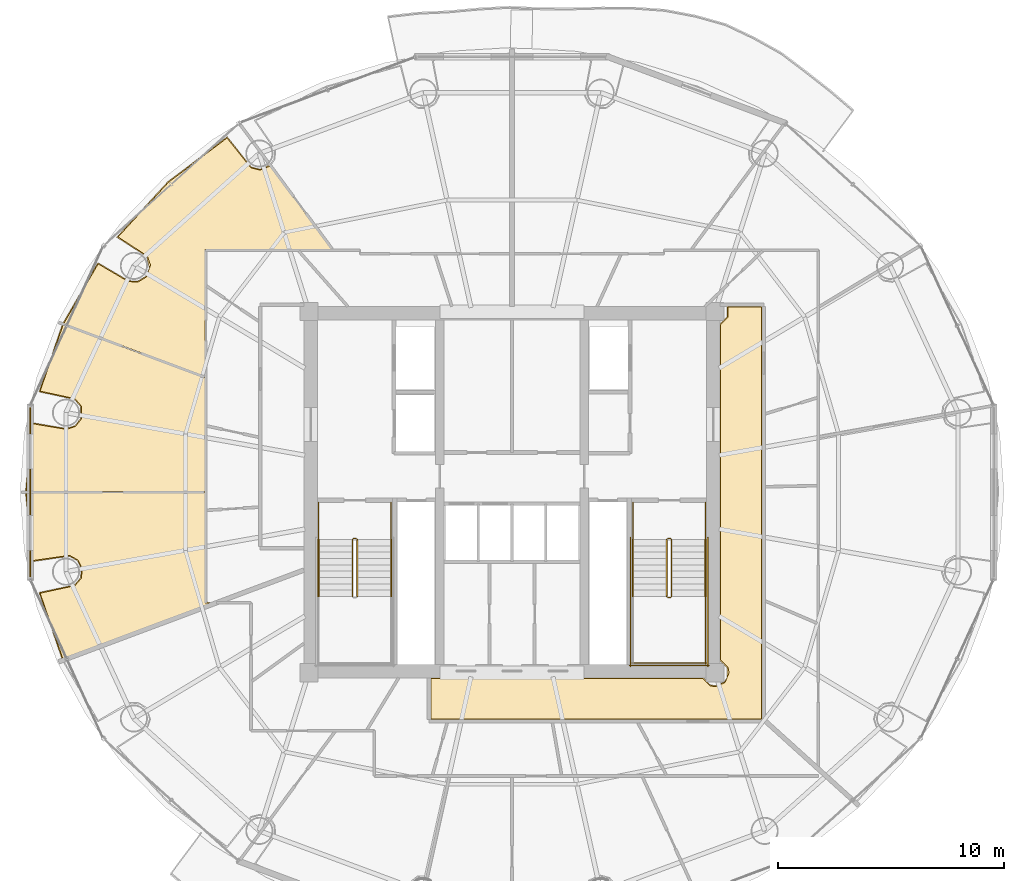
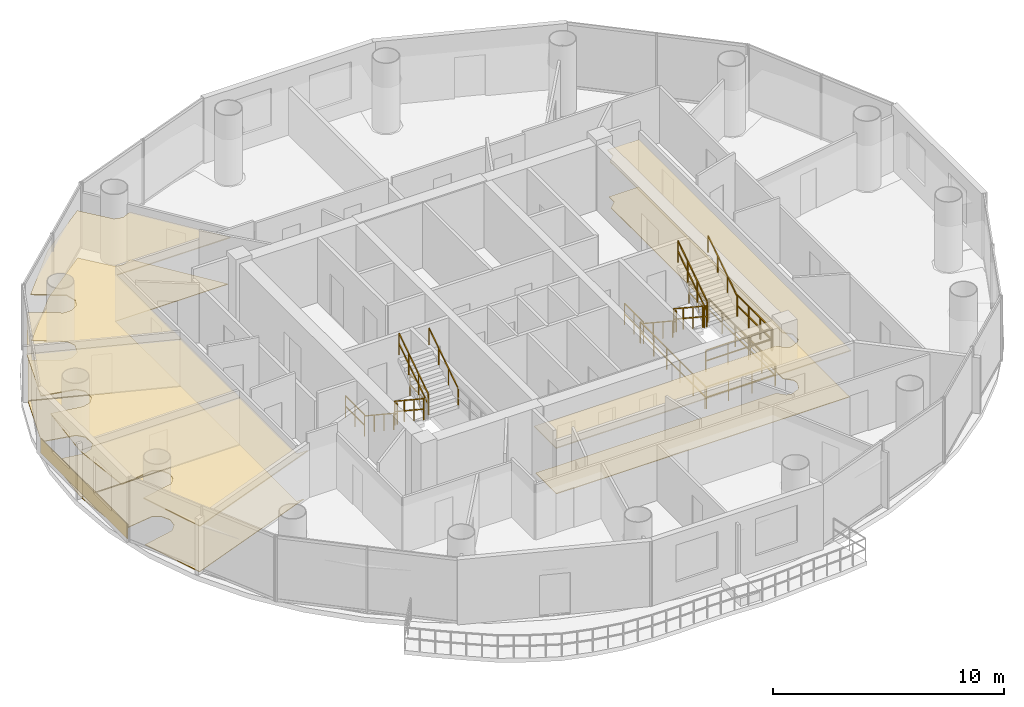
# One storey, part 25 of 26: 20 railings, 9 coverings.
"""IFC4 building model written with IfcOpenShell, lengths in metres."""

from ifc_helpers import new_model, si_unit, direction, frame, origin, origin_2d, place, context, subcontext, project, spatial, polyline, rectangle, outline, extrude, source, transform, mapped, material, layer, layer_set, type_object, element, save


model = new_model("IFC4")

# Units and contexts
model_context = context("Model", 3, precision=1e-05, world=origin(), true_north=direction((-0.2419218956, 0.970295726276)))
body_context = subcontext(model_context, "Body", "Model", "MODEL_VIEW")
ifc_project = project(units=[si_unit("LENGTHUNIT", "METRE"), si_unit("AREAUNIT", "SQUARE_METRE"), si_unit("VOLUMEUNIT", "CUBIC_METRE"), si_unit("PLANEANGLEUNIT", "RADIAN"), si_unit("MASSUNIT", "GRAM", prefix="KILO")], contexts=[model_context])

# Site, building, storey
site_placement = place(None, origin())
site = spatial("IfcSite", under=ifc_project, at=site_placement, CompositionType="ELEMENT")
building_placement = place(site_placement, origin())
building = spatial("IfcBuilding", under=site, at=building_placement, Name="Cobrevalo Terracotta Tower", CompositionType="ELEMENT")
storey_placement = place(building_placement, frame((0.0, 0.0, 209.699951171875)))
storey = spatial("IfcBuildingStorey", under=building, at=storey_placement, Name="L55", CompositionType="ELEMENT", Elevation=209.699951171875)

# Coverings
ifc_material_1 = material(Name="Engineered Brazilian hardwood flooring", Category="wood")
ifc_layer_1 = layer(ifc_material_1, 0.028076171875)
ifc_layer_set_1 = layer_set([ifc_layer_1], Name="Engineered Brazilian hardwood flooring")
covering_type_1 = type_object("IfcCoveringType", Name="Engineered Hardwood Suite Flooring 28", PredefinedType="FLOORING", material=ifc_layer_set_1)
covering_1_placement = place(storey_placement, origin())
element("IfcCovering", 1, at=covering_1_placement, inside=storey, type_object=covering_type_1, Name="Flat L55A Master Bedroom floor finish", PredefinedType="FLOORING", context=body_context, shape_type="SweptSolid", body=[
    extrude(outline(polyline([(19.662109375, 36.91357421875), (20.9970703125, 36.131103515625), (21.42626953125, 36.1103515625), (21.794677734375, 36.331298828125), (21.985107421875, 36.86474609375), (21.840087890625, 37.269287109375), (20.546875, 38.10888671875), (22.782470703125, 40.53125), (25.3720703125, 42.49169921875), (26.426513671875, 41.172119140625), (26.843505859375, 41.06884765625), (27.2890625, 41.25244140625), (30.0302734375, 37.544921875), (24.405029296875, 37.544921875), (24.405029296875, 31.91015625), (18.132568359375, 34.258056640625), (19.662109375, 36.91357421875)])), origin(), (0.0, 0.0, 1.0), 0.030029296875),
])
covering_2_placement = place(storey_placement, origin())
element("IfcCovering", 2, at=covering_2_placement, inside=storey, type_object=covering_type_1, Name="Flat L55A Principal Guest Bedroom floor finish", PredefinedType="FLOORING", context=body_context, shape_type="SweptSolid", body=[
    extrude(outline(polyline([(16.7734375, 29.83056640625), (18.251953125, 29.58154296875), (18.66064453125, 29.71435546875), (18.926513671875, 30.052001953125), (18.9150390625, 30.6181640625), (18.635986328125, 30.94482421875), (17.09228515625, 31.277099609375), (18.114501953125, 34.221923828125), (24.405029296875, 31.867431640625), (24.405029296875, 26.820068359375), (16.4814453125, 26.820068359375), (16.7734375, 29.83056640625)])), origin(), (0.0, 0.0, 1.0), 0.030029296875),
])
covering_3_placement = place(storey_placement, origin())
element("IfcCovering", 3, at=covering_3_placement, inside=storey, type_object=covering_type_1, Name="Flat L55A Principal Guest Bedroom floor finish", PredefinedType="FLOORING", context=body_context, shape_type="SweptSolid", body=[
    extrude(outline(polyline([(16.4814453125, 26.780029296875), (24.405029296875, 26.780029296875), (24.405029296875, 21.88037109375), (24.780517578125, 21.873046875), (18.114501953125, 19.3779296875), (17.09228515625, 22.322998046875), (18.635986328125, 22.655029296875), (18.9150390625, 22.981689453125), (18.9658203125, 23.408447265625), (18.770751953125, 23.791259765625), (18.39599609375, 24.00146484375), (16.7734375, 23.76953125), (16.4814453125, 26.780029296875)])), origin(), (0.0, 0.0, 1.0), 0.030029296875),
])
ifc_material_2 = material(Name="Honed terracotta and granite tile", Category="masonry")
ifc_layer_2 = layer(ifc_material_2, 0.034912109375)
ifc_layer_set_2 = layer_set([ifc_layer_2], Name="Honed terracotta and granite tile")
covering_type_2 = type_object("IfcCoveringType", Name="Honed Terracotta & Granite Interior Flooring 35", PredefinedType="FLOORING", material=ifc_layer_set_2)
covering_4_placement = place(storey_placement, origin())
element("IfcCovering", 4, at=covering_4_placement, inside=storey, type_object=covering_type_2, Name="L55 Residential Floor Corridor 1 floor finish", PredefinedType="FLOORING", context=body_context, shape_type="SweptSolid", body=[
    extrude(outline(polyline([(34.419921875, 18.554931640625), (46.431884765625, 18.554931640625), (46.7626953125, 18.226806640625), (47.0, 18.1796875), (47.438720703125, 18.361328125), (47.620361328125, 18.800048828125), (47.5732421875, 19.037353515625), (47.2451171875, 19.3681640625), (47.2451171875, 34.23193359375), (47.5732421875, 34.5625), (47.57958984375, 35.0048828125), (49.054931640625, 35.0048828125), (49.054931640625, 16.7451171875), (34.419921875, 16.7451171875), (34.419921875, 18.554931640625)])), origin(), (0.0, 0.0, 1.0), 0.030029296875),
])
ifc_material_3 = material(Name="Acoustic perforated gypsum ceiling", Category="gypsum")
ifc_layer_3 = layer(ifc_material_3, 0.050048828125)
ifc_layer_set_3 = layer_set([ifc_layer_3], Name="Acoustic perforated gypsum ceiling")
covering_type_3 = type_object("IfcCoveringType", Name="Perforated Acoustic Gypsum Ceiling 50", PredefinedType="CEILING", material=ifc_layer_set_3)
covering_5_placement = place(storey_placement, frame((0.0, 0.0, 2.445068359375)))
element("IfcCovering", 5, at=covering_5_placement, inside=storey, type_object=covering_type_3, Name="L55 Residential Floor Corridor 1 acoustic ceiling", PredefinedType="CEILING", context=body_context, shape_type="SweptSolid", body=[
    extrude(outline(polyline([(34.375, 18.60009765625), (46.4560546875, 18.60009765625), (46.780029296875, 18.269287109375), (47.0, 18.2255859375), (47.40625, 18.393798828125), (47.53076171875, 18.580078125), (47.53076171875, 19.019775390625), (47.199951171875, 19.343994140625), (47.199951171875, 34.255859375), (47.53076171875, 34.580078125), (47.524658203125, 35.050048828125), (49.10009765625, 35.050048828125), (49.10009765625, 16.699951171875), (34.375, 16.699951171875), (34.375, 18.60009765625)])), origin(), (0.0, 0.0, 1.0), 0.050048828125),
])
covering_6_placement = place(storey_placement, frame((0.0, 0.0, 2.445068359375)))
element("IfcCovering", 6, at=covering_6_placement, inside=storey, type_object=covering_type_3, Name="Flat L55A Master Bedroom acoustic ceiling", PredefinedType="CEILING", context=body_context, shape_type="SweptSolid", body=[
    extrude(outline(polyline([(19.650146484375, 36.97314453125), (21.01220703125, 36.173583984375), (21.4150390625, 36.154052734375), (21.760986328125, 36.36181640625), (21.933349609375, 36.7265625), (21.8037109375, 37.242431640625), (20.481201171875, 38.095703125), (22.752197265625, 40.564697265625), (25.3837890625, 42.55126953125), (26.44970703125, 41.2109375), (26.84130859375, 41.114013671875), (27.29541015625, 41.319091796875), (30.119384765625, 37.5), (24.449951171875, 37.5), (24.449951171875, 31.84521484375), (18.068115234375, 34.234130859375), (19.650146484375, 36.97314453125)])), origin(), (0.0, 0.0, 1.0), 0.050048828125),
])
covering_7_placement = place(storey_placement, frame((0.0, 0.0, 2.445068359375)))
element("IfcCovering", 7, at=covering_7_placement, inside=storey, type_object=covering_type_3, Name="Flat L55A Principal Guest Bedroom acoustic ceiling", PredefinedType="CEILING", context=body_context, shape_type="SweptSolid", body=[
    extrude(outline(polyline([(16.73876953125, 29.88232421875), (18.2509765625, 29.626708984375), (18.634765625, 29.75146484375), (18.88427734375, 30.068359375), (18.873779296875, 30.60009765625), (18.611572265625, 30.90673828125), (17.038330078125, 31.240966796875), (18.088134765625, 34.280029296875), (24.449951171875, 31.898681640625), (24.449951171875, 26.77490234375), (16.43310546875, 26.77490234375), (16.73876953125, 29.88232421875)])), origin(), (0.0, 0.0, 1.0), 0.050048828125),
])
covering_8_placement = place(storey_placement, frame((0.0, 0.0, 2.445068359375)))
element("IfcCovering", 8, at=covering_8_placement, inside=storey, type_object=covering_type_3, Name="Flat L55A Principal Guest Bedroom acoustic ceiling", PredefinedType="CEILING", context=body_context, shape_type="SweptSolid", body=[
    extrude(outline(polyline([(16.43310546875, 26.824951171875), (24.449951171875, 26.824951171875), (24.449951171875, 21.924560546875), (25.01220703125, 21.911865234375), (18.088134765625, 19.320068359375), (17.038330078125, 22.359130859375), (18.611572265625, 22.693359375), (18.873779296875, 23.0), (18.92138671875, 23.400634765625), (18.73828125, 23.760009765625), (18.386474609375, 23.957275390625), (16.73876953125, 23.717529296875), (16.43310546875, 26.824951171875)])), origin(), (0.0, 0.0, 1.0), 0.050048828125),
])

# Railings
ifc_material_4 = material(Name="Brushed stainless steel", Category="steel")
railing_type_1 = type_object("IfcRailingType", Name="Stainless Steel Stair Handrail 900", PredefinedType="HANDRAIL", material=ifc_material_4)
railing_1_placement = place(storey_placement, frame((29.425048828125, 24.699951171875, 0.18505859375)))
element("IfcRailing", 9, at=railing_1_placement, inside=storey, type_object=railing_type_1, Name="L55 ST-1 stair handrail 1", PredefinedType="HANDRAIL", context=body_context, shape_type="SweptSolid", body=[
    extrude(rectangle(XDim=0.048095703125, YDim=0.048095703125, at=origin_2d()), frame((0.0, 0.0, 0.8759765625), z_axis=(0.0, -0.834331337432, 0.55126329406), x_axis=(1.0, 0.0, 0.0)), (0.0, 0.0, 1.0), 3.0205078125),
    extrude(rectangle(XDim=0.0419921875, YDim=0.0419921875, at=origin_2d()), origin(), (0.0, 0.0, 1.0), 0.851806640625),
    extrude(rectangle(XDim=0.0419921875, YDim=0.0419921875, at=origin_2d()), frame((0.0, -0.840087890625, 0.554931640625)), (0.0, 0.0, 1.0), 0.851806640625),
    extrude(rectangle(XDim=0.0419921875, YDim=0.0419921875, at=origin_2d()), frame((0.0, -1.679931640625, 1.110107421875)), (0.0, 0.0, 1.0), 0.851806640625),
    extrude(rectangle(XDim=0.0419921875, YDim=0.0419921875, at=origin_2d()), frame((0.0, -2.52001953125, 1.6650390625)), (0.0, 0.0, 1.0), 0.851806640625),
])
railing_2_placement = place(storey_placement, frame((32.64501953125, 22.179931640625, 2.03515625)))
element("IfcRailing", 10, at=railing_2_placement, inside=storey, type_object=railing_type_1, Name="L55 ST-1 stair handrail 2", PredefinedType="HANDRAIL", context=body_context, shape_type="SweptSolid", body=[
    extrude(rectangle(XDim=0.048095703125, YDim=0.048095703125, at=origin_2d()), frame((0.0, 0.0, 0.8759765625), z_axis=(0.0, 0.83436851402, 0.551207023552), x_axis=(-1.0, 0.0, 0.0)), (0.0, 0.0, 1.0), 3.020263671875),
    extrude(rectangle(XDim=0.0419921875, YDim=0.0419921875, at=origin_2d()), origin(), (0.0, 0.0, 1.0), 0.851806640625),
    extrude(rectangle(XDim=0.0419921875, YDim=0.0419921875, at=origin_2d()), frame((0.0, 0.840087890625, 0.554931640625)), (0.0, 0.0, 1.0), 0.851806640625),
    extrude(rectangle(XDim=0.0419921875, YDim=0.0419921875, at=origin_2d()), frame((0.0, 1.679931640625, 1.10986328125)), (0.0, 0.0, 1.0), 0.851806640625),
    extrude(rectangle(XDim=0.0419921875, YDim=0.0419921875, at=origin_2d()), frame((0.0, 2.52001953125, 1.664794921875)), (0.0, 0.0, 1.0), 0.851806640625),
])
railing_3_placement = place(storey_placement, frame((43.35498046875, 24.699951171875, 0.18505859375)))
element("IfcRailing", 11, at=railing_3_placement, inside=storey, type_object=railing_type_1, Name="L55 ST-2 stair handrail 1", PredefinedType="HANDRAIL", context=body_context, shape_type="SweptSolid", body=[
    extrude(rectangle(XDim=0.048095703125, YDim=0.048095703125, at=origin_2d()), frame((0.0, 0.0, 0.8759765625), z_axis=(0.0, -0.834331337432, 0.55126329406), x_axis=(1.0, 0.0, 0.0)), (0.0, 0.0, 1.0), 3.0205078125),
    extrude(rectangle(XDim=0.0419921875, YDim=0.0419921875, at=origin_2d()), origin(), (0.0, 0.0, 1.0), 0.851806640625),
    extrude(rectangle(XDim=0.0419921875, YDim=0.0419921875, at=origin_2d()), frame((0.0, -0.840087890625, 0.554931640625)), (0.0, 0.0, 1.0), 0.851806640625),
    extrude(rectangle(XDim=0.0419921875, YDim=0.0419921875, at=origin_2d()), frame((0.0, -1.679931640625, 1.110107421875)), (0.0, 0.0, 1.0), 0.851806640625),
    extrude(rectangle(XDim=0.0419921875, YDim=0.0419921875, at=origin_2d()), frame((0.0, -2.52001953125, 1.6650390625)), (0.0, 0.0, 1.0), 0.851806640625),
])
railing_4_placement = place(storey_placement, frame((46.574951171875, 22.179931640625, 2.03515625)))
element("IfcRailing", 12, at=railing_4_placement, inside=storey, type_object=railing_type_1, Name="L55 ST-2 stair handrail 2", PredefinedType="HANDRAIL", context=body_context, shape_type="SweptSolid", body=[
    extrude(rectangle(XDim=0.048095703125, YDim=0.048095703125, at=origin_2d()), frame((0.0, 0.0, 0.8759765625), z_axis=(0.0, 0.83436851402, 0.551207023552), x_axis=(-1.0, 0.0, 0.0)), (0.0, 0.0, 1.0), 3.020263671875),
    extrude(rectangle(XDim=0.0419921875, YDim=0.0419921875, at=origin_2d()), origin(), (0.0, 0.0, 1.0), 0.851806640625),
    extrude(rectangle(XDim=0.0419921875, YDim=0.0419921875, at=origin_2d()), frame((0.0, 0.840087890625, 0.554931640625)), (0.0, 0.0, 1.0), 0.851806640625),
    extrude(rectangle(XDim=0.0419921875, YDim=0.0419921875, at=origin_2d()), frame((0.0, 1.679931640625, 1.10986328125)), (0.0, 0.0, 1.0), 0.851806640625),
    extrude(rectangle(XDim=0.0419921875, YDim=0.0419921875, at=origin_2d()), frame((0.0, 2.52001953125, 1.664794921875)), (0.0, 0.0, 1.0), 0.851806640625),
])
ifc_material_5 = material(Name="Painted galvanized steel", Category="steel")
railing_type_2 = type_object("IfcRailingType", Name="Stair Well Guard Balustrade 1150", PredefinedType="GUARDRAIL", material=ifc_material_5)
railing_5_placement = place(storey_placement, frame((30.925048828125, 24.699951171875, 0.18505859375)))
element("IfcRailing", 13, at=railing_5_placement, inside=storey, type_object=railing_type_2, Name="L55 ST-1 stair guard 1", PredefinedType="GUARDRAIL", context=body_context, shape_type="SweptSolid", body=[
    extrude(rectangle(XDim=0.048095703125, YDim=0.048095703125, at=origin_2d()), frame((0.0, 0.0, 1.1259765625), z_axis=(0.0, -0.834331337432, 0.55126329406), x_axis=(1.0, 0.0, 0.0)), (0.0, 0.0, 1.0), 3.0205078125),
    extrude(rectangle(XDim=0.048095703125, YDim=0.048095703125, at=origin_2d()), frame((0.0, 0.0, 0.574951171875), z_axis=(0.0, -0.834331337432, 0.55126329406), x_axis=(1.0, 0.0, 0.0)), (0.0, 0.0, 1.0), 3.0205078125),
    extrude(rectangle(XDim=0.0419921875, YDim=0.0419921875, at=origin_2d()), origin(), (0.0, 0.0, 1.0), 1.101806640625),
    extrude(rectangle(XDim=0.0419921875, YDim=0.0419921875, at=origin_2d()), frame((0.0, -0.840087890625, 0.554931640625)), (0.0, 0.0, 1.0), 1.101806640625),
    extrude(rectangle(XDim=0.0419921875, YDim=0.0419921875, at=origin_2d()), frame((0.0, -1.679931640625, 1.110107421875)), (0.0, 0.0, 1.0), 1.101806640625),
    extrude(rectangle(XDim=0.0419921875, YDim=0.0419921875, at=origin_2d()), frame((0.0, -2.52001953125, 1.6650390625)), (0.0, 0.0, 1.0), 1.101806640625),
])
railing_6_placement = place(storey_placement, frame((31.14501953125, 22.179931640625, 2.03515625)))
element("IfcRailing", 14, at=railing_6_placement, inside=storey, type_object=railing_type_2, Name="L55 ST-1 stair guard 6", PredefinedType="GUARDRAIL", context=body_context, shape_type="SweptSolid", body=[
    extrude(rectangle(XDim=0.048095703125, YDim=0.048095703125, at=origin_2d()), frame((0.0, 0.0, 1.1259765625), z_axis=(0.0, 0.83436851402, 0.551207023552), x_axis=(-1.0, 0.0, 0.0)), (0.0, 0.0, 1.0), 3.020263671875),
    extrude(rectangle(XDim=0.048095703125, YDim=0.048095703125, at=origin_2d()), frame((0.0, 0.0, 0.574951171875), z_axis=(0.0, 0.83436851402, 0.551207023552), x_axis=(-1.0, 0.0, 0.0)), (0.0, 0.0, 1.0), 3.020263671875),
    extrude(rectangle(XDim=0.0419921875, YDim=0.0419921875, at=origin_2d()), origin(), (0.0, 0.0, 1.0), 1.101806640625),
    extrude(rectangle(XDim=0.0419921875, YDim=0.0419921875, at=origin_2d()), frame((0.0, 0.840087890625, 0.554931640625)), (0.0, 0.0, 1.0), 1.101806640625),
    extrude(rectangle(XDim=0.0419921875, YDim=0.0419921875, at=origin_2d()), frame((0.0, 1.679931640625, 1.10986328125)), (0.0, 0.0, 1.0), 1.101806640625),
    extrude(rectangle(XDim=0.0419921875, YDim=0.0419921875, at=origin_2d()), frame((0.0, 2.52001953125, 1.664794921875)), (0.0, 0.0, 1.0), 1.101806640625),
])
railing_7_placement = place(storey_placement, frame((30.97509765625, 24.75, 0.0)))
element("IfcRailing", 15, at=railing_7_placement, inside=storey, type_object=railing_type_2, Name="L55 ST-1 stair guard 7", PredefinedType="GUARDRAIL", context=body_context, shape_type="SweptSolid", body=[
    extrude(rectangle(XDim=0.048095703125, YDim=0.048095703125, at=origin_2d()), frame((0.0, 0.0, 1.1259765625), z_axis=(1.0, 0.0, 0.0), x_axis=(0.0, 1.0, 0.0)), (0.0, 0.0, 1.0), 0.119873046875),
    extrude(rectangle(XDim=0.048095703125, YDim=0.048095703125, at=origin_2d()), frame((0.0, 0.0, 0.574951171875), z_axis=(1.0, 0.0, 0.0), x_axis=(0.0, 1.0, 0.0)), (0.0, 0.0, 1.0), 0.119873046875),
    extrude(rectangle(XDim=0.0419921875, YDim=0.0419921875, at=origin_2d()), origin(), (0.0, 0.0, 1.0), 1.101806640625),
    extrude(rectangle(XDim=0.0419921875, YDim=0.0419921875, at=origin_2d()), frame((0.119873046875, 0.0, 0.0)), (0.0, 0.0, 1.0), 1.101806640625),
])
for number, where, name in (
    (16, (29.425048828125, 26.35009765625, 0.0), "L55 ST-1 stair guard 8"),
    (17, (32.64501953125, 26.35009765625, 0.0), "L55 ST-1 stair guard 9"),
):
    element("IfcRailing", number, at=place(storey_placement, frame(where)), inside=storey, type_object=railing_type_2, Name=name, PredefinedType="GUARDRAIL", context=body_context, shape_type="SweptSolid", body=[
        extrude(rectangle(XDim=0.048095703125, YDim=0.048095703125, at=origin_2d()), frame((0.0, 0.0, 1.1259765625), z_axis=(0.0, -1.0, 0.0), x_axis=(1.0, 0.0, 0.0)), (0.0, 0.0, 1.0), 1.650146484375),
        extrude(rectangle(XDim=0.048095703125, YDim=0.048095703125, at=origin_2d()), frame((0.0, 0.0, 0.574951171875), z_axis=(0.0, -1.0, 0.0), x_axis=(1.0, 0.0, 0.0)), (0.0, 0.0, 1.0), 1.650146484375),
        extrude(rectangle(XDim=0.0419921875, YDim=0.0419921875, at=origin_2d()), origin(), (0.0, 0.0, 1.0), 1.101806640625),
        extrude(rectangle(XDim=0.0419921875, YDim=0.0419921875, at=origin_2d()), frame((0.0, -0.8251953125, 0.0)), (0.0, 0.0, 1.0), 1.101806640625),
        extrude(rectangle(XDim=0.0419921875, YDim=0.0419921875, at=origin_2d()), frame((0.0, -1.650146484375, 0.0)), (0.0, 0.0, 1.0), 1.101806640625),
    ])
railing_8_placement = place(storey_placement, frame((44.85498046875, 24.699951171875, 0.18505859375)))
element("IfcRailing", 18, at=railing_8_placement, inside=storey, type_object=railing_type_2, Name="L55 ST-2 stair guard 1", PredefinedType="GUARDRAIL", context=body_context, shape_type="SweptSolid", body=[
    extrude(rectangle(XDim=0.048095703125, YDim=0.048095703125, at=origin_2d()), frame((0.0, 0.0, 1.1259765625), z_axis=(0.0, -0.834331337432, 0.55126329406), x_axis=(1.0, 0.0, 0.0)), (0.0, 0.0, 1.0), 3.0205078125),
    extrude(rectangle(XDim=0.048095703125, YDim=0.048095703125, at=origin_2d()), frame((0.0, 0.0, 0.574951171875), z_axis=(0.0, -0.834331337432, 0.55126329406), x_axis=(1.0, 0.0, 0.0)), (0.0, 0.0, 1.0), 3.0205078125),
    extrude(rectangle(XDim=0.0419921875, YDim=0.0419921875, at=origin_2d()), origin(), (0.0, 0.0, 1.0), 1.101806640625),
    extrude(rectangle(XDim=0.0419921875, YDim=0.0419921875, at=origin_2d()), frame((0.0, -0.840087890625, 0.554931640625)), (0.0, 0.0, 1.0), 1.101806640625),
    extrude(rectangle(XDim=0.0419921875, YDim=0.0419921875, at=origin_2d()), frame((0.0, -1.679931640625, 1.110107421875)), (0.0, 0.0, 1.0), 1.101806640625),
    extrude(rectangle(XDim=0.0419921875, YDim=0.0419921875, at=origin_2d()), frame((0.0, -2.52001953125, 1.6650390625)), (0.0, 0.0, 1.0), 1.101806640625),
])
railing_9_placement = place(storey_placement, frame((44.905029296875, 22.1298828125, 1.85009765625)))
element("IfcRailing", 19, at=railing_9_placement, inside=storey, type_object=railing_type_2, Name="L55 ST-2 stair guard 2", PredefinedType="GUARDRAIL", context=body_context, shape_type="SweptSolid", body=[
    extrude(rectangle(XDim=0.048095703125, YDim=0.048095703125, at=origin_2d()), frame((0.0, 0.0, 1.1259765625), z_axis=(1.0, 0.0, 0.0), x_axis=(0.0, 1.0, 0.0)), (0.0, 0.0, 1.0), 0.119873046875),
    extrude(rectangle(XDim=0.048095703125, YDim=0.048095703125, at=origin_2d()), frame((0.0, 0.0, 0.574951171875), z_axis=(1.0, 0.0, 0.0), x_axis=(0.0, 1.0, 0.0)), (0.0, 0.0, 1.0), 0.119873046875),
    extrude(rectangle(XDim=0.0419921875, YDim=0.0419921875, at=origin_2d()), origin(), (0.0, 0.0, 1.0), 1.101806640625),
    extrude(rectangle(XDim=0.0419921875, YDim=0.0419921875, at=origin_2d()), frame((0.119873046875, 0.0, 0.0)), (0.0, 0.0, 1.0), 1.101806640625),
])
railing_10_placement = place(storey_placement, frame((46.574951171875, 22.179931640625, 1.85009765625)))
element("IfcRailing", 20, at=railing_10_placement, inside=storey, type_object=railing_type_2, Name="L55 ST-2 stair guard 4", PredefinedType="GUARDRAIL", context=body_context, shape_type="SweptSolid", body=[
    extrude(rectangle(XDim=0.048095703125, YDim=0.048095703125, at=origin_2d()), frame((0.0, 0.0, 1.1259765625), z_axis=(0.0, -1.0, 0.0), x_axis=(1.0, 0.0, 0.0)), (0.0, 0.0, 1.0), 3.0048828125),
    extrude(rectangle(XDim=0.048095703125, YDim=0.048095703125, at=origin_2d()), frame((0.0, 0.0, 0.574951171875), z_axis=(0.0, -1.0, 0.0), x_axis=(1.0, 0.0, 0.0)), (0.0, 0.0, 1.0), 3.0048828125),
    extrude(rectangle(XDim=0.0419921875, YDim=0.0419921875, at=origin_2d()), origin(), (0.0, 0.0, 1.0), 1.101806640625),
    extrude(rectangle(XDim=0.0419921875, YDim=0.0419921875, at=origin_2d()), frame((0.0, -1.001708984375, 0.0)), (0.0, 0.0, 1.0), 1.101806640625),
    extrude(rectangle(XDim=0.0419921875, YDim=0.0419921875, at=origin_2d()), frame((0.0, -2.003173828125, 0.0)), (0.0, 0.0, 1.0), 1.101806640625),
    extrude(rectangle(XDim=0.0419921875, YDim=0.0419921875, at=origin_2d()), frame((0.0, -3.0048828125, 0.0)), (0.0, 0.0, 1.0), 1.101806640625),
])
railing_11_placement = place(storey_placement, frame((43.304931640625, 19.22509765625, 1.85009765625)))
element("IfcRailing", 21, at=railing_11_placement, inside=storey, type_object=railing_type_2, Name="L55 ST-2 stair guard 5", PredefinedType="GUARDRAIL", context=body_context, shape_type="SweptSolid", body=[
    extrude(rectangle(XDim=0.048095703125, YDim=0.048095703125, at=origin_2d()), frame((0.0, 0.0, 1.1259765625), z_axis=(1.0, 0.0, 0.0), x_axis=(0.0, 1.0, 0.0)), (0.0, 0.0, 1.0), 3.320068359375),
    extrude(rectangle(XDim=0.048095703125, YDim=0.048095703125, at=origin_2d()), frame((0.0, 0.0, 0.574951171875), z_axis=(1.0, 0.0, 0.0), x_axis=(0.0, 1.0, 0.0)), (0.0, 0.0, 1.0), 3.320068359375),
    extrude(rectangle(XDim=0.0419921875, YDim=0.0419921875, at=origin_2d()), origin(), (0.0, 0.0, 1.0), 1.101806640625),
    extrude(rectangle(XDim=0.0419921875, YDim=0.0419921875, at=origin_2d()), frame((1.106689453125, 0.0, 0.0)), (0.0, 0.0, 1.0), 1.101806640625),
    extrude(rectangle(XDim=0.0419921875, YDim=0.0419921875, at=origin_2d()), frame((2.21337890625, 0.0, 0.0)), (0.0, 0.0, 1.0), 1.101806640625),
    extrude(rectangle(XDim=0.0419921875, YDim=0.0419921875, at=origin_2d()), frame((3.320068359375, 0.0, 0.0)), (0.0, 0.0, 1.0), 1.101806640625),
])
railing_12_placement = place(storey_placement, frame((45.074951171875, 22.179931640625, 2.03515625)))
element("IfcRailing", 22, at=railing_12_placement, inside=storey, type_object=railing_type_2, Name="L55 ST-2 stair guard 6", PredefinedType="GUARDRAIL", context=body_context, shape_type="SweptSolid", body=[
    extrude(rectangle(XDim=0.048095703125, YDim=0.048095703125, at=origin_2d()), frame((0.0, 0.0, 1.1259765625), z_axis=(0.0, 0.83436851402, 0.551207023552), x_axis=(-1.0, 0.0, 0.0)), (0.0, 0.0, 1.0), 3.020263671875),
    extrude(rectangle(XDim=0.048095703125, YDim=0.048095703125, at=origin_2d()), frame((0.0, 0.0, 0.574951171875), z_axis=(0.0, 0.83436851402, 0.551207023552), x_axis=(-1.0, 0.0, 0.0)), (0.0, 0.0, 1.0), 3.020263671875),
    extrude(rectangle(XDim=0.0419921875, YDim=0.0419921875, at=origin_2d()), origin(), (0.0, 0.0, 1.0), 1.101806640625),
    extrude(rectangle(XDim=0.0419921875, YDim=0.0419921875, at=origin_2d()), frame((0.0, 0.840087890625, 0.554931640625)), (0.0, 0.0, 1.0), 1.101806640625),
    extrude(rectangle(XDim=0.0419921875, YDim=0.0419921875, at=origin_2d()), frame((0.0, 1.679931640625, 1.10986328125)), (0.0, 0.0, 1.0), 1.101806640625),
    extrude(rectangle(XDim=0.0419921875, YDim=0.0419921875, at=origin_2d()), frame((0.0, 2.52001953125, 1.664794921875)), (0.0, 0.0, 1.0), 1.101806640625),
])
railing_13_placement = place(storey_placement, frame((44.905029296875, 24.75, 0.0)))
element("IfcRailing", 23, at=railing_13_placement, inside=storey, type_object=railing_type_2, Name="L55 ST-2 stair guard 7", PredefinedType="GUARDRAIL", context=body_context, shape_type="SweptSolid", body=[
    extrude(rectangle(XDim=0.048095703125, YDim=0.048095703125, at=origin_2d()), frame((0.0, 0.0, 1.1259765625), z_axis=(1.0, 0.0, 0.0), x_axis=(0.0, 1.0, 0.0)), (0.0, 0.0, 1.0), 0.119873046875),
    extrude(rectangle(XDim=0.048095703125, YDim=0.048095703125, at=origin_2d()), frame((0.0, 0.0, 0.574951171875), z_axis=(1.0, 0.0, 0.0), x_axis=(0.0, 1.0, 0.0)), (0.0, 0.0, 1.0), 0.119873046875),
    extrude(rectangle(XDim=0.0419921875, YDim=0.0419921875, at=origin_2d()), origin(), (0.0, 0.0, 1.0), 1.101806640625),
    extrude(rectangle(XDim=0.0419921875, YDim=0.0419921875, at=origin_2d()), frame((0.119873046875, 0.0, 0.0)), (0.0, 0.0, 1.0), 1.101806640625),
])
for number, where, name in (
    (24, (43.35498046875, 26.35009765625, 0.0), "L55 ST-2 stair guard 8"),
    (25, (46.574951171875, 26.35009765625, 0.0), "L55 ST-2 stair guard 9"),
):
    element("IfcRailing", number, at=place(storey_placement, frame(where)), inside=storey, type_object=railing_type_2, Name=name, PredefinedType="GUARDRAIL", context=body_context, shape_type="SweptSolid", body=[
        extrude(rectangle(XDim=0.048095703125, YDim=0.048095703125, at=origin_2d()), frame((0.0, 0.0, 1.1259765625), z_axis=(0.0, -1.0, 0.0), x_axis=(1.0, 0.0, 0.0)), (0.0, 0.0, 1.0), 1.650146484375),
        extrude(rectangle(XDim=0.048095703125, YDim=0.048095703125, at=origin_2d()), frame((0.0, 0.0, 0.574951171875), z_axis=(0.0, -1.0, 0.0), x_axis=(1.0, 0.0, 0.0)), (0.0, 0.0, 1.0), 1.650146484375),
        extrude(rectangle(XDim=0.0419921875, YDim=0.0419921875, at=origin_2d()), origin(), (0.0, 0.0, 1.0), 1.101806640625),
        extrude(rectangle(XDim=0.0419921875, YDim=0.0419921875, at=origin_2d()), frame((0.0, -0.8251953125, 0.0)), (0.0, 0.0, 1.0), 1.101806640625),
        extrude(rectangle(XDim=0.0419921875, YDim=0.0419921875, at=origin_2d()), frame((0.0, -1.650146484375, 0.0)), (0.0, 0.0, 1.0), 1.101806640625),
    ])
for number, where, name in (
    (26, (43.2548828125, 24.800048828125, 0.0), "L55 ST-2 stair guard 10"),
    (27, (46.675048828125, 24.800048828125, 0.0), "L55 ST-2 stair guard 11"),
):
    element("IfcRailing", number, at=place(storey_placement, frame(where)), inside=storey, type_object=railing_type_2, Name=name, PredefinedType="GUARDRAIL", context=body_context, shape_type="SweptSolid", body=[
        extrude(rectangle(XDim=0.048095703125, YDim=0.048095703125, at=origin_2d()), frame((0.0, 0.0, 1.1259765625), z_axis=(0.0, -1.0, 0.0), x_axis=(1.0, 0.0, 0.0)), (0.0, 0.0, 1.0), 5.72509765625),
        extrude(rectangle(XDim=0.048095703125, YDim=0.048095703125, at=origin_2d()), frame((0.0, 0.0, 0.574951171875), z_axis=(0.0, -1.0, 0.0), x_axis=(1.0, 0.0, 0.0)), (0.0, 0.0, 1.0), 5.72509765625),
        extrude(rectangle(XDim=0.0419921875, YDim=0.0419921875, at=origin_2d()), origin(), (0.0, 0.0, 1.0), 1.101806640625),
        extrude(rectangle(XDim=0.0419921875, YDim=0.0419921875, at=origin_2d()), frame((0.0, -1.14501953125, 0.0)), (0.0, 0.0, 1.0), 1.101806640625),
        extrude(rectangle(XDim=0.0419921875, YDim=0.0419921875, at=origin_2d()), frame((0.0, -2.2900390625, 0.0)), (0.0, 0.0, 1.0), 1.101806640625),
        extrude(rectangle(XDim=0.0419921875, YDim=0.0419921875, at=origin_2d()), frame((0.0, -3.43505859375, 0.0)), (0.0, 0.0, 1.0), 1.101806640625),
        extrude(rectangle(XDim=0.0419921875, YDim=0.0419921875, at=origin_2d()), frame((0.0, -4.580078125, 0.0)), (0.0, 0.0, 1.0), 1.101806640625),
        extrude(rectangle(XDim=0.0419921875, YDim=0.0419921875, at=origin_2d()), frame((0.0, -5.72509765625, 0.0)), (0.0, 0.0, 1.0), 1.101806640625),
    ])
railing_14_placement = place(storey_placement, frame((43.205078125, 19.125, 0.0)))
element("IfcRailing", 28, at=railing_14_placement, inside=storey, type_object=railing_type_2, Name="L55 ST-2 stair guard 12", PredefinedType="GUARDRAIL", context=body_context, shape_type="SweptSolid", body=[
    extrude(rectangle(XDim=0.048095703125, YDim=0.048095703125, at=origin_2d()), frame((0.0, 0.0, 1.1259765625), z_axis=(1.0, 0.0, 0.0), x_axis=(0.0, 1.0, 0.0)), (0.0, 0.0, 1.0), 3.52001953125),
    extrude(rectangle(XDim=0.048095703125, YDim=0.048095703125, at=origin_2d()), frame((0.0, 0.0, 0.574951171875), z_axis=(1.0, 0.0, 0.0), x_axis=(0.0, 1.0, 0.0)), (0.0, 0.0, 1.0), 3.52001953125),
    extrude(rectangle(XDim=0.0419921875, YDim=0.0419921875, at=origin_2d()), origin(), (0.0, 0.0, 1.0), 1.101806640625),
    extrude(rectangle(XDim=0.0419921875, YDim=0.0419921875, at=origin_2d()), frame((1.17333984375, 0.0, 0.0)), (0.0, 0.0, 1.0), 1.101806640625),
    extrude(rectangle(XDim=0.0419921875, YDim=0.0419921875, at=origin_2d()), frame((2.3466796875, 0.0, 0.0)), (0.0, 0.0, 1.0), 1.101806640625),
    extrude(rectangle(XDim=0.0419921875, YDim=0.0419921875, at=origin_2d()), frame((3.52001953125, 0.0, 0.0)), (0.0, 0.0, 1.0), 1.101806640625),
])

# Covering
ifc_material_6 = material(Name="Glazed terracotta facade cladding tile", Category="masonry")
ifc_layer_4 = layer(ifc_material_6, 0.044921875)
ifc_layer_set_4 = layer_set([ifc_layer_4], Name="Glazed terracotta facade cladding tile")
covering_type_4 = type_object("IfcCoveringType", Name="Architectural terracotta rainscreen spandrel cladding 45 mm", PredefinedType="CLADDING", material=ifc_layer_set_4)
shared_shape = source(origin(), body_context, "Body", "SweptSolid", [
    extrude(rectangle(XDim=7.474853515625, YDim=0.044921875, at=origin_2d()), origin(), (0.0, 0.0, 1.0), 0.760009765625),
])
covering_9_placement = place(storey_placement, frame((16.648193359375, 26.800048828125, 0.0400390625), z_axis=(0.0, 0.0, 1.0), x_axis=(0.0, -1.0, 0.0)))
element("IfcCovering", 29, at=covering_9_placement, inside=storey, type_object=covering_type_4, Name="L55 terracotta spandrel cladding S08", PredefinedType="CLADDING", context=body_context, shape_type="MappedRepresentation", body=[
    mapped(shared_shape, transform((0.0, 0.0, 0.0), scale=1.0)),
])

save(model, "model.ifc")
